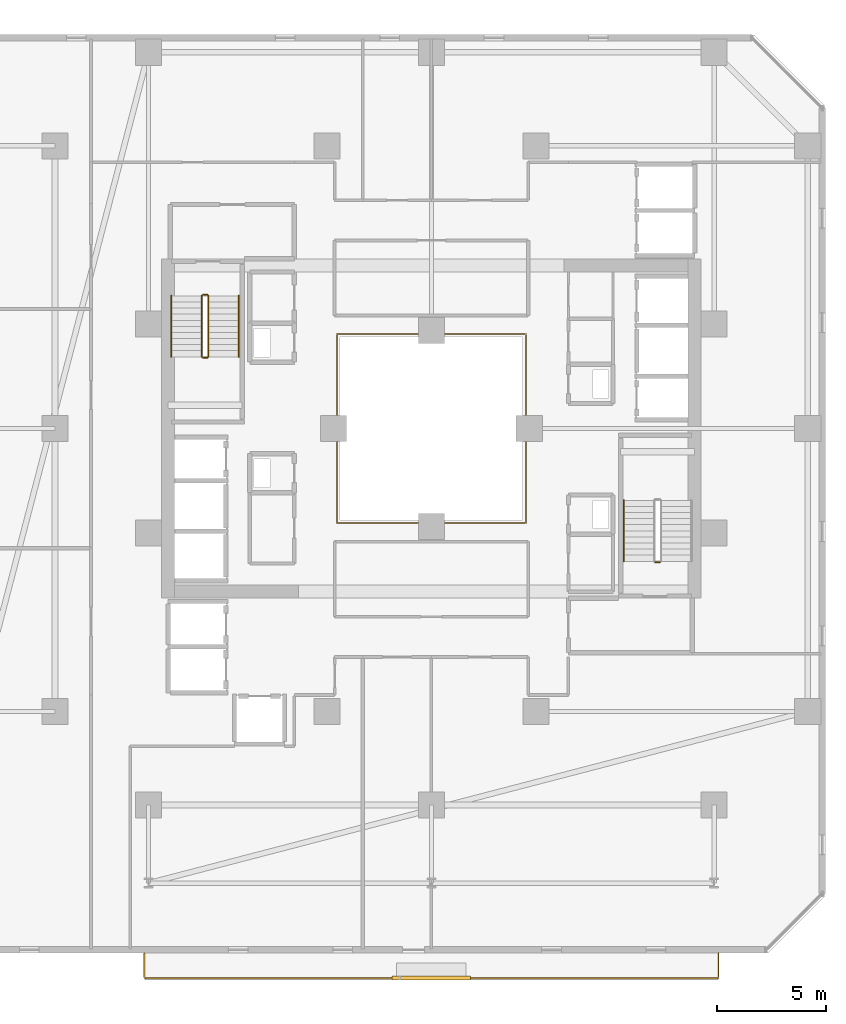
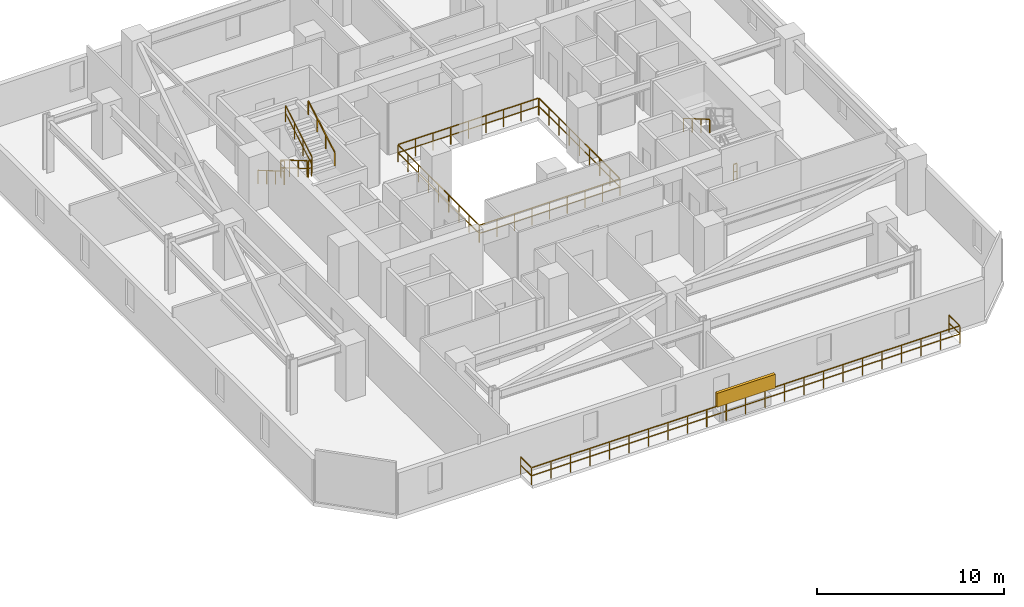
# One storey, part 32 of 33: 10 railings, 1 shading device.
"""IFC4 building model written with IfcOpenShell, lengths in metres."""

import ifcopenshell
import ifcopenshell.guid

model = None  # the IFC model being written
_history = None  # IfcOwnerHistory: only IFC2X3 demands one
_inside = {}  # id of a spatial element -> (the spatial element, [elements in it])
_under = {}  # id of a project, library or spatial element -> (it, [spatial elements below it])
_declared = {}  # id of a project -> (the project, [libraries it declares])
_typed = {}  # id of a type object -> (the type object, [elements of that type])
_made_of = {}  # id of a material, layer set ... -> (it, [elements and type objects made of it])


def new_model(schema):
    """Start an empty IFC model of exactly this schema.

    Asked for "IFC4X3", IfcOpenShell would pick the latest addendum, in which some entities
    have other attributes; the version numbers below select the first issue.
    IFC2X3 requires an IfcOwnerHistory on every rooted entity: one is made here for all.
    """
    global model, _history
    if schema == "IFC4X3":
        model = ifcopenshell.file(schema_version=(4, 3, 0, 0))
    else:
        model = ifcopenshell.file(schema=schema)
    _inside.clear()
    _under.clear()
    _declared.clear()
    _typed.clear()
    _made_of.clear()
    _history = None
    if model.schema == "IFC2X3":
        org = make("IfcOrganization", Name="unknown")
        user = make(
            "IfcPersonAndOrganization",
            ThePerson=make("IfcPerson", FamilyName="unknown"),
            TheOrganization=org,
        )
        app = make(
            "IfcApplication",
            ApplicationDeveloper=org,
            Version="unknown",
            ApplicationFullName="unknown",
            ApplicationIdentifier="unknown",
        )
        _history = make(
            "IfcOwnerHistory",
            OwningUser=user,
            OwningApplication=app,
            ChangeAction="ADDED",
            CreationDate=0,
        )
    return model


def make(cls, **values):
    """One entity of the class cls with the attributes given. An attribute that is None is left unset."""
    return model.create_entity(
        cls, **{name: value for name, value in values.items() if value is not None}
    )


def rooted(cls, **values):
    """An entity with a GlobalId (a new one), such as an element, a storey or a relation."""
    return make(cls, GlobalId=ifcopenshell.guid.new(), OwnerHistory=_history, **values)


def si_unit(unit_type, name, prefix=None):
    """IfcSIUnit, for example si_unit("LENGTHUNIT", "METRE", prefix="MILLI")."""
    return make("IfcSIUnit", UnitType=unit_type, Prefix=prefix, Name=name)


def assignment(units):
    """IfcUnitAssignment: the units of a project."""
    return None if units is None else make("IfcUnitAssignment", Units=units)


def point(xyz):
    """IfcCartesianPoint."""
    return None if xyz is None else make("IfcCartesianPoint", Coordinates=xyz)


def direction(xyz):
    """IfcDirection."""
    return None if xyz is None else make("IfcDirection", DirectionRatios=xyz)


def frame(location, z_axis=None, x_axis=None):
    """IfcAxis2Placement3D, a coordinate frame: its origin and axes. An axis left out is left unset."""
    return make(
        "IfcAxis2Placement3D",
        Location=point(location),
        Axis=direction(z_axis),
        RefDirection=direction(x_axis),
    )


def frame_2d(location, x_axis=None):
    """IfcAxis2Placement2D, a coordinate frame in the plane: its origin and x axis."""
    return make(
        "IfcAxis2Placement2D", Location=point(location), RefDirection=direction(x_axis)
    )


def origin():
    """The frame at (0, 0, 0) with its axes left unset."""
    return frame((0.0, 0.0, 0.0))


def origin_2d():
    """The frame at (0, 0) in the plane with its x axis left unset."""
    return frame_2d((0.0, 0.0))


def place(relative_to, where):
    """IfcLocalPlacement: puts the frame where relative to a parent placement (None: the world)."""
    return make(
        "IfcLocalPlacement", PlacementRelTo=relative_to, RelativePlacement=where
    )


def context(
    kind, dimensions, precision=None, world=None, true_north=None, identifier=None
):
    """IfcGeometricRepresentationContext, for example the 3D "Model" context."""
    return make(
        "IfcGeometricRepresentationContext",
        ContextIdentifier=identifier,
        ContextType=kind,
        CoordinateSpaceDimension=dimensions,
        Precision=precision,
        WorldCoordinateSystem=world,
        TrueNorth=true_north,
    )


def subcontext(parent, identifier, kind, view, scale=None):
    """IfcGeometricRepresentationSubContext, for example "Body" below "Model"."""
    return make(
        "IfcGeometricRepresentationSubContext",
        ContextIdentifier=identifier,
        ContextType=kind,
        ParentContext=parent,
        TargetScale=scale,
        TargetView=view,
    )


def project(units=None, contexts=None):
    """IfcProject with its units and contexts."""
    return rooted(
        "IfcProject",
        Name="project",
        RepresentationContexts=contexts,
        UnitsInContext=assignment(units),
    )


def spatial(cls, under=None, at=None, **own):
    """A site, building, storey or space (cls), placed at a placement, below another one or the project."""
    s = rooted(cls, ObjectPlacement=at, **own)
    if under is not None:
        _under.setdefault(under.id(), (under, []))[1].append(s)
    return s


def profile(cls, at=None, kind="AREA", **sizes):
    """A parametric profile (cls). Its sizes go by their IFC names, for example OverallWidth=200.0."""
    return make(cls, ProfileType=kind, Position=at, **sizes)


def rectangle(**sizes):
    """IfcRectangleProfileDef."""
    return profile("IfcRectangleProfileDef", **sizes)


def extrude(swept, where, along, depth):
    """IfcExtrudedAreaSolid: the profile swept, set in the frame where, extruded along a direction by depth."""
    return make(
        "IfcExtrudedAreaSolid",
        SweptArea=swept,
        Position=where,
        ExtrudedDirection=direction(along),
        Depth=depth,
    )


def shape(context_of_items, identifier, shape_type, items):
    """IfcShapeRepresentation: the items that make up one representation, for example the "Body"."""
    return make(
        "IfcShapeRepresentation",
        ContextOfItems=context_of_items,
        RepresentationIdentifier=identifier,
        RepresentationType=shape_type,
        Items=items,
    )


def material(Name=None, Category=None):
    """IfcMaterial."""
    return make("IfcMaterial", Name=Name, Category=Category)


def made_of(thing, what):
    """Note that an element or type object is made of a material, layer set ...; save() writes the relation."""
    if what is not None:
        _made_of.setdefault(what.id(), (what, []))[1].append(thing)
    return thing


def type_object(cls, material=None, **own):
    """A type object (cls), such as IfcWallType, which elements share."""
    return made_of(rooted(cls, **own), material)


def element(
    cls,
    number,
    at=None,
    inside=None,
    cuts=None,
    type_object=None,
    material=None,
    context=None,
    identifier="Body",
    shape_type=None,
    held_by="IfcProductDefinitionShape",
    body=None,
    shapes=None,
    **own,
):
    """One element of the class cls, such as IfcWall. Its Tag is "e" and its number.

    at: its placement. inside: the storey or other place that contains it. cuts: it is an
    opening in that element (IfcRelVoidsElement). A single representation is given by context,
    identifier, shape_type and body (its items); several are given by shapes. held_by: the class
    of the entity that holds the representations. save() writes the other relations.
    """
    e = rooted(cls, Tag="e%d" % number, ObjectPlacement=at, **own)
    if body is not None:
        shapes = [shape(context, identifier, shape_type, body)]
    if shapes is not None:
        e.Representation = make(held_by, Representations=shapes)
    if inside is not None:
        _inside.setdefault(inside.id(), (inside, []))[1].append(e)
    if cuts is not None:
        rooted(
            "IfcRelVoidsElement", RelatingBuildingElement=cuts, RelatedOpeningElement=e
        )
    if type_object is not None:
        _typed.setdefault(type_object.id(), (type_object, []))[1].append(e)
    return made_of(e, material)


def aggregate(whole, parts):
    """IfcRelAggregates: a whole, such as a stair, and the parts it consists of."""
    return rooted("IfcRelAggregates", RelatingObject=whole, RelatedObjects=parts)


def save(model, path):
    """Write the relations noted so far, then the file.

    IfcRelAggregates (storeys below a building ...), IfcRelContainedInSpatialStructure (elements
    in a storey), IfcRelDefinesByType, IfcRelAssociatesMaterial and IfcRelDeclares: one each for
    every whole, place, type object, material and project.
    """
    for whole, parts in _under.values():
        aggregate(whole, parts)
    for where, things in _inside.values():
        rooted(
            "IfcRelContainedInSpatialStructure",
            RelatedElements=things,
            RelatingStructure=where,
        )
    for kind, things in _typed.values():
        rooted("IfcRelDefinesByType", RelatedObjects=things, RelatingType=kind)
    for what, things in _made_of.values():
        rooted("IfcRelAssociatesMaterial", RelatedObjects=things, RelatingMaterial=what)
    for by, libraries in _declared.values():
        rooted("IfcRelDeclares", RelatingContext=by, RelatedDefinitions=libraries)
    model.write(path)


model = new_model("IFC4")

# Units and contexts
model_context = context("Model", 3, precision=1e-05, world=origin(), true_north=direction((0.0, 1.0)))
body_context = subcontext(model_context, "Body", "Model", "MODEL_VIEW")
ifc_project = project(units=[si_unit("LENGTHUNIT", "METRE"), si_unit("AREAUNIT", "SQUARE_METRE"), si_unit("VOLUMEUNIT", "CUBIC_METRE"), si_unit("PLANEANGLEUNIT", "RADIAN"), si_unit("MASSUNIT", "GRAM", prefix="KILO")], contexts=[model_context])

# Site, building, storey
site_placement = place(None, origin())
site = spatial("IfcSite", under=ifc_project, at=site_placement, CompositionType="ELEMENT")
building_placement = place(site_placement, origin())
building = spatial("IfcBuilding", under=site, at=building_placement, Name="Thornwick Lancets Civic Towers", CompositionType="ELEMENT")
storey_placement = place(building_placement, frame((0.0, 0.0, 108.89990234375)))
storey = spatial("IfcBuildingStorey", under=building, at=storey_placement, Name="L28", CompositionType="ELEMENT", Elevation=108.89990234375)

# Railings
ifc_material_1 = material(Name="Laminated glass and bronze steel S355", Category="steel")
railing_type_1 = type_object("IfcRailingType", Name="RAIL_ATRIUM_GUARD", PredefinedType="BALUSTRADE", material=ifc_material_1)
railing_1_placement = place(storey_placement, frame((84.159912109375, 22.659912109375, 0.0)))
element("IfcRailing", 1, at=railing_1_placement, inside=storey, type_object=railing_type_1, Name="L28 Tower B Central Atrium Guard Balustrade", PredefinedType="BALUSTRADE", context=body_context, shape_type="SweptSolid", body=[
    extrude(rectangle(XDim=0.048095703125, YDim=0.048095703125, at=origin_2d()), frame((0.0, 0.0, 1.1259765625), z_axis=(1.0, 0.0, 0.0), x_axis=(0.0, 1.0, 0.0)), (0.0, 0.0, 1.0), 8.64892578125),
    extrude(rectangle(XDim=0.0419921875, YDim=0.0419921875, at=origin_2d()), frame((0.03759765625, 0.0, 0.597900390625), z_axis=(1.0, 0.0, 0.0), x_axis=(0.0, 1.0, 0.0)), (0.0, 0.0, 1.0), 1.010009765625),
    extrude(rectangle(XDim=0.0419921875, YDim=0.0419921875, at=origin_2d()), frame((1.12255859375, 0.0, 0.597900390625), z_axis=(1.0, 0.0, 0.0), x_axis=(0.0, 1.0, 0.0)), (0.0, 0.0, 1.0), 1.010009765625),
    extrude(rectangle(XDim=0.0419921875, YDim=0.0419921875, at=origin_2d()), frame((2.20751953125, 0.0, 0.597900390625), z_axis=(1.0, 0.0, 0.0), x_axis=(0.0, 1.0, 0.0)), (0.0, 0.0, 1.0), 1.010009765625),
    extrude(rectangle(XDim=0.0419921875, YDim=0.0419921875, at=origin_2d()), frame((3.29248046875, 0.0, 0.597900390625), z_axis=(1.0, 0.0, 0.0), x_axis=(0.0, 1.0, 0.0)), (0.0, 0.0, 1.0), 1.010009765625),
    extrude(rectangle(XDim=0.0419921875, YDim=0.0419921875, at=origin_2d()), frame((4.377685546875, 0.0, 0.597900390625), z_axis=(1.0, 0.0, 0.0), x_axis=(0.0, 1.0, 0.0)), (0.0, 0.0, 1.0), 1.010009765625),
    extrude(rectangle(XDim=0.0419921875, YDim=0.0419921875, at=origin_2d()), frame((5.462646484375, 0.0, 0.597900390625), z_axis=(1.0, 0.0, 0.0), x_axis=(0.0, 1.0, 0.0)), (0.0, 0.0, 1.0), 1.010009765625),
    extrude(rectangle(XDim=0.0419921875, YDim=0.0419921875, at=origin_2d()), frame((6.547607421875, 0.0, 0.597900390625), z_axis=(1.0, 0.0, 0.0), x_axis=(0.0, 1.0, 0.0)), (0.0, 0.0, 1.0), 1.010009765625),
    extrude(rectangle(XDim=0.0419921875, YDim=0.0419921875, at=origin_2d()), frame((7.632568359375, 0.0, 0.597900390625), z_axis=(1.0, 0.0, 0.0), x_axis=(0.0, 1.0, 0.0)), (0.0, 0.0, 1.0), 1.010009765625),
    extrude(rectangle(XDim=0.048095703125, YDim=0.048095703125, at=origin_2d()), frame((8.68017578125, 0.03125, 1.1259765625), z_axis=(0.0, 1.0, 0.0), x_axis=(-1.0, 0.0, 0.0)), (0.0, 0.0, 1.0), 8.61767578125),
    extrude(rectangle(XDim=0.0419921875, YDim=0.0419921875, at=origin_2d()), frame((8.68017578125, 0.03759765625, 0.597900390625), z_axis=(0.0, 1.0, 0.0), x_axis=(-1.0, 0.0, 0.0)), (0.0, 0.0, 1.0), 1.010009765625),
    extrude(rectangle(XDim=0.0419921875, YDim=0.0419921875, at=origin_2d()), frame((8.68017578125, 1.12255859375, 0.597900390625), z_axis=(0.0, 1.0, 0.0), x_axis=(-1.0, 0.0, 0.0)), (0.0, 0.0, 1.0), 1.010009765625),
    extrude(rectangle(XDim=0.0419921875, YDim=0.0419921875, at=origin_2d()), frame((8.68017578125, 2.20751953125, 0.597900390625), z_axis=(0.0, 1.0, 0.0), x_axis=(-1.0, 0.0, 0.0)), (0.0, 0.0, 1.0), 1.010009765625),
    extrude(rectangle(XDim=0.0419921875, YDim=0.0419921875, at=origin_2d()), frame((8.68017578125, 3.29248046875, 0.597900390625), z_axis=(0.0, 1.0, 0.0), x_axis=(-1.0, 0.0, 0.0)), (0.0, 0.0, 1.0), 1.010009765625),
    extrude(rectangle(XDim=0.0419921875, YDim=0.0419921875, at=origin_2d()), frame((8.68017578125, 4.377685546875, 0.597900390625), z_axis=(0.0, 1.0, 0.0), x_axis=(-1.0, 0.0, 0.0)), (0.0, 0.0, 1.0), 1.010009765625),
    extrude(rectangle(XDim=0.0419921875, YDim=0.0419921875, at=origin_2d()), frame((8.68017578125, 5.462646484375, 0.597900390625), z_axis=(0.0, 1.0, 0.0), x_axis=(-1.0, 0.0, 0.0)), (0.0, 0.0, 1.0), 1.010009765625),
    extrude(rectangle(XDim=0.0419921875, YDim=0.0419921875, at=origin_2d()), frame((8.68017578125, 6.547607421875, 0.597900390625), z_axis=(0.0, 1.0, 0.0), x_axis=(-1.0, 0.0, 0.0)), (0.0, 0.0, 1.0), 1.010009765625),
    extrude(rectangle(XDim=0.0419921875, YDim=0.0419921875, at=origin_2d()), frame((8.68017578125, 7.632568359375, 0.597900390625), z_axis=(0.0, 1.0, 0.0), x_axis=(-1.0, 0.0, 0.0)), (0.0, 0.0, 1.0), 1.010009765625),
    extrude(rectangle(XDim=0.048095703125, YDim=0.048095703125, at=origin_2d()), frame((8.64892578125, 8.68017578125, 1.1259765625), z_axis=(-1.0, 0.0, 0.0), x_axis=(0.0, -1.0, 0.0)), (0.0, 0.0, 1.0), 8.61767578125),
    extrude(rectangle(XDim=0.0419921875, YDim=0.0419921875, at=origin_2d()), frame((8.642578125, 8.68017578125, 0.597900390625), z_axis=(-1.0, 0.0, 0.0), x_axis=(0.0, -1.0, 0.0)), (0.0, 0.0, 1.0), 1.010009765625),
    extrude(rectangle(XDim=0.0419921875, YDim=0.0419921875, at=origin_2d()), frame((7.5576171875, 8.68017578125, 0.597900390625), z_axis=(-1.0, 0.0, 0.0), x_axis=(0.0, -1.0, 0.0)), (0.0, 0.0, 1.0), 1.010009765625),
    extrude(rectangle(XDim=0.0419921875, YDim=0.0419921875, at=origin_2d()), frame((6.47265625, 8.68017578125, 0.597900390625), z_axis=(-1.0, 0.0, 0.0), x_axis=(0.0, -1.0, 0.0)), (0.0, 0.0, 1.0), 1.010009765625),
    extrude(rectangle(XDim=0.0419921875, YDim=0.0419921875, at=origin_2d()), frame((5.3876953125, 8.68017578125, 0.597900390625), z_axis=(-1.0, 0.0, 0.0), x_axis=(0.0, -1.0, 0.0)), (0.0, 0.0, 1.0), 1.010009765625),
    extrude(rectangle(XDim=0.0419921875, YDim=0.0419921875, at=origin_2d()), frame((4.302490234375, 8.68017578125, 0.597900390625), z_axis=(-1.0, 0.0, 0.0), x_axis=(0.0, -1.0, 0.0)), (0.0, 0.0, 1.0), 1.010009765625),
    extrude(rectangle(XDim=0.0419921875, YDim=0.0419921875, at=origin_2d()), frame((3.217529296875, 8.68017578125, 0.597900390625), z_axis=(-1.0, 0.0, 0.0), x_axis=(0.0, -1.0, 0.0)), (0.0, 0.0, 1.0), 1.010009765625),
    extrude(rectangle(XDim=0.0419921875, YDim=0.0419921875, at=origin_2d()), frame((2.132568359375, 8.68017578125, 0.597900390625), z_axis=(-1.0, 0.0, 0.0), x_axis=(0.0, -1.0, 0.0)), (0.0, 0.0, 1.0), 1.010009765625),
    extrude(rectangle(XDim=0.0419921875, YDim=0.0419921875, at=origin_2d()), frame((1.047607421875, 8.68017578125, 0.597900390625), z_axis=(-1.0, 0.0, 0.0), x_axis=(0.0, -1.0, 0.0)), (0.0, 0.0, 1.0), 1.010009765625),
    extrude(rectangle(XDim=0.048095703125, YDim=0.048095703125, at=origin_2d()), frame((0.0, 8.64892578125, 1.1259765625), z_axis=(0.0, -1.0, 0.0), x_axis=(1.0, 0.0, 0.0)), (0.0, 0.0, 1.0), 8.64892578125),
    extrude(rectangle(XDim=0.0419921875, YDim=0.0419921875, at=origin_2d()), frame((0.0, 8.642578125, 0.597900390625), z_axis=(0.0, -1.0, 0.0), x_axis=(1.0, 0.0, 0.0)), (0.0, 0.0, 1.0), 1.010009765625),
    extrude(rectangle(XDim=0.0419921875, YDim=0.0419921875, at=origin_2d()), frame((0.0, 7.5576171875, 0.597900390625), z_axis=(0.0, -1.0, 0.0), x_axis=(1.0, 0.0, 0.0)), (0.0, 0.0, 1.0), 1.010009765625),
    extrude(rectangle(XDim=0.0419921875, YDim=0.0419921875, at=origin_2d()), frame((0.0, 6.47265625, 0.597900390625), z_axis=(0.0, -1.0, 0.0), x_axis=(1.0, 0.0, 0.0)), (0.0, 0.0, 1.0), 1.010009765625),
    extrude(rectangle(XDim=0.0419921875, YDim=0.0419921875, at=origin_2d()), frame((0.0, 5.3876953125, 0.597900390625), z_axis=(0.0, -1.0, 0.0), x_axis=(1.0, 0.0, 0.0)), (0.0, 0.0, 1.0), 1.010009765625),
    extrude(rectangle(XDim=0.0419921875, YDim=0.0419921875, at=origin_2d()), frame((0.0, 4.302490234375, 0.597900390625), z_axis=(0.0, -1.0, 0.0), x_axis=(1.0, 0.0, 0.0)), (0.0, 0.0, 1.0), 1.010009765625),
    extrude(rectangle(XDim=0.0419921875, YDim=0.0419921875, at=origin_2d()), frame((0.0, 3.217529296875, 0.597900390625), z_axis=(0.0, -1.0, 0.0), x_axis=(1.0, 0.0, 0.0)), (0.0, 0.0, 1.0), 1.010009765625),
    extrude(rectangle(XDim=0.0419921875, YDim=0.0419921875, at=origin_2d()), frame((0.0, 2.132568359375, 0.597900390625), z_axis=(0.0, -1.0, 0.0), x_axis=(1.0, 0.0, 0.0)), (0.0, 0.0, 1.0), 1.010009765625),
    extrude(rectangle(XDim=0.0419921875, YDim=0.0419921875, at=origin_2d()), frame((0.0, 1.047607421875, 0.597900390625), z_axis=(0.0, -1.0, 0.0), x_axis=(1.0, 0.0, 0.0)), (0.0, 0.0, 1.0), 1.010009765625),
    extrude(rectangle(XDim=0.0419921875, YDim=0.0419921875, at=origin_2d()), origin(), (0.0, 0.0, 1.0), 1.095703125),
    extrude(rectangle(XDim=0.0419921875, YDim=0.0419921875, at=origin_2d()), frame((1.0849609375, 0.0, 0.0)), (0.0, 0.0, 1.0), 1.095703125),
    extrude(rectangle(XDim=0.0419921875, YDim=0.0419921875, at=origin_2d()), frame((2.169921875, 0.0, 0.0)), (0.0, 0.0, 1.0), 1.095703125),
    extrude(rectangle(XDim=0.0419921875, YDim=0.0419921875, at=origin_2d()), frame((3.255126953125, 0.0, 0.0)), (0.0, 0.0, 1.0), 1.095703125),
    extrude(rectangle(XDim=0.0419921875, YDim=0.0419921875, at=origin_2d()), frame((4.340087890625, 0.0, 0.0)), (0.0, 0.0, 1.0), 1.095703125),
    extrude(rectangle(XDim=0.0419921875, YDim=0.0419921875, at=origin_2d()), frame((5.425048828125, 0.0, 0.0)), (0.0, 0.0, 1.0), 1.095703125),
    extrude(rectangle(XDim=0.0419921875, YDim=0.0419921875, at=origin_2d()), frame((6.51025390625, 0.0, 0.0)), (0.0, 0.0, 1.0), 1.095703125),
    extrude(rectangle(XDim=0.0419921875, YDim=0.0419921875, at=origin_2d()), frame((7.59521484375, 0.0, 0.0)), (0.0, 0.0, 1.0), 1.095703125),
    extrude(rectangle(XDim=0.0419921875, YDim=0.0419921875, at=origin_2d()), frame((8.68017578125, 0.0, 0.0)), (0.0, 0.0, 1.0), 1.095703125),
    extrude(rectangle(XDim=0.0419921875, YDim=0.0419921875, at=origin_2d()), frame((8.68017578125, 1.0849609375, 0.0)), (0.0, 0.0, 1.0), 1.095703125),
    extrude(rectangle(XDim=0.0419921875, YDim=0.0419921875, at=origin_2d()), frame((8.68017578125, 2.169921875, 0.0)), (0.0, 0.0, 1.0), 1.095703125),
    extrude(rectangle(XDim=0.0419921875, YDim=0.0419921875, at=origin_2d()), frame((8.68017578125, 3.255126953125, 0.0)), (0.0, 0.0, 1.0), 1.095703125),
    extrude(rectangle(XDim=0.0419921875, YDim=0.0419921875, at=origin_2d()), frame((8.68017578125, 4.340087890625, 0.0)), (0.0, 0.0, 1.0), 1.095703125),
    extrude(rectangle(XDim=0.0419921875, YDim=0.0419921875, at=origin_2d()), frame((8.68017578125, 5.425048828125, 0.0)), (0.0, 0.0, 1.0), 1.095703125),
    extrude(rectangle(XDim=0.0419921875, YDim=0.0419921875, at=origin_2d()), frame((8.68017578125, 6.51025390625, 0.0)), (0.0, 0.0, 1.0), 1.095703125),
    extrude(rectangle(XDim=0.0419921875, YDim=0.0419921875, at=origin_2d()), frame((8.68017578125, 7.59521484375, 0.0)), (0.0, 0.0, 1.0), 1.095703125),
    extrude(rectangle(XDim=0.0419921875, YDim=0.0419921875, at=origin_2d()), frame((8.68017578125, 8.68017578125, 0.0)), (0.0, 0.0, 1.0), 1.095703125),
    extrude(rectangle(XDim=0.0419921875, YDim=0.0419921875, at=origin_2d()), frame((7.59521484375, 8.68017578125, 0.0)), (0.0, 0.0, 1.0), 1.095703125),
    extrude(rectangle(XDim=0.0419921875, YDim=0.0419921875, at=origin_2d()), frame((6.51025390625, 8.68017578125, 0.0)), (0.0, 0.0, 1.0), 1.095703125),
    extrude(rectangle(XDim=0.0419921875, YDim=0.0419921875, at=origin_2d()), frame((5.425048828125, 8.68017578125, 0.0)), (0.0, 0.0, 1.0), 1.095703125),
    extrude(rectangle(XDim=0.0419921875, YDim=0.0419921875, at=origin_2d()), frame((4.340087890625, 8.68017578125, 0.0)), (0.0, 0.0, 1.0), 1.095703125),
    extrude(rectangle(XDim=0.0419921875, YDim=0.0419921875, at=origin_2d()), frame((3.255126953125, 8.68017578125, 0.0)), (0.0, 0.0, 1.0), 1.095703125),
    extrude(rectangle(XDim=0.0419921875, YDim=0.0419921875, at=origin_2d()), frame((2.169921875, 8.68017578125, 0.0)), (0.0, 0.0, 1.0), 1.095703125),
    extrude(rectangle(XDim=0.0419921875, YDim=0.0419921875, at=origin_2d()), frame((1.0849609375, 8.68017578125, 0.0)), (0.0, 0.0, 1.0), 1.095703125),
    extrude(rectangle(XDim=0.0419921875, YDim=0.0419921875, at=origin_2d()), frame((0.0, 8.68017578125, 0.0)), (0.0, 0.0, 1.0), 1.095703125),
    extrude(rectangle(XDim=0.0419921875, YDim=0.0419921875, at=origin_2d()), frame((0.0, 7.59521484375, 0.0)), (0.0, 0.0, 1.0), 1.095703125),
    extrude(rectangle(XDim=0.0419921875, YDim=0.0419921875, at=origin_2d()), frame((0.0, 6.51025390625, 0.0)), (0.0, 0.0, 1.0), 1.095703125),
    extrude(rectangle(XDim=0.0419921875, YDim=0.0419921875, at=origin_2d()), frame((0.0, 5.425048828125, 0.0)), (0.0, 0.0, 1.0), 1.095703125),
    extrude(rectangle(XDim=0.0419921875, YDim=0.0419921875, at=origin_2d()), frame((0.0, 4.340087890625, 0.0)), (0.0, 0.0, 1.0), 1.095703125),
    extrude(rectangle(XDim=0.0419921875, YDim=0.0419921875, at=origin_2d()), frame((0.0, 3.255126953125, 0.0)), (0.0, 0.0, 1.0), 1.095703125),
    extrude(rectangle(XDim=0.0419921875, YDim=0.0419921875, at=origin_2d()), frame((0.0, 2.169921875, 0.0)), (0.0, 0.0, 1.0), 1.095703125),
    extrude(rectangle(XDim=0.0419921875, YDim=0.0419921875, at=origin_2d()), frame((0.0, 1.0849609375, 0.0)), (0.0, 0.0, 1.0), 1.095703125),
])
ifc_material_2 = material(Name="Brushed stainless steel S355", Category="steel")
railing_type_2 = type_object("IfcRailingType", Name="RAIL_HANDRAIL", PredefinedType="HANDRAIL", material=ifc_material_2)
railing_2_placement = place(storey_placement, frame((97.35009765625, 23.699951171875, 1.963623046875)))
element("IfcRailing", 2, at=railing_2_placement, inside=storey, type_object=railing_type_2, Name="L28 ST-B1 stair handrail 2", PredefinedType="HANDRAIL", context=body_context, shape_type="SweptSolid", body=[
    extrude(rectangle(XDim=0.048095703125, YDim=0.048095703125, at=origin_2d()), frame((0.0, 0.0, 0.8857421875), z_axis=(0.0, -0.863360870873, 0.504586966384), x_axis=(1.0, 0.0, 0.0)), (0.0, 0.0, 1.0), 3.2431640625),
    extrude(rectangle(XDim=0.0419921875, YDim=0.0419921875, at=origin_2d()), origin(), (0.0, 0.0, 1.0), 0.855712890625),
    extrude(rectangle(XDim=0.0419921875, YDim=0.0419921875, at=origin_2d()), frame((0.0, -0.933349609375, 0.54541015625)), (0.0, 0.0, 1.0), 0.855712890625),
    extrude(rectangle(XDim=0.0419921875, YDim=0.0419921875, at=origin_2d()), frame((0.0, -1.86669921875, 1.091064453125)), (0.0, 0.0, 1.0), 0.855712890625),
    extrude(rectangle(XDim=0.0419921875, YDim=0.0419921875, at=origin_2d()), frame((0.0, -2.800048828125, 1.636474609375)), (0.0, 0.0, 1.0), 0.855712890625),
])
railing_3_placement = place(storey_placement, frame((76.550048828125, 33.10009765625, 0.163818359375)))
element("IfcRailing", 3, at=railing_3_placement, inside=storey, type_object=railing_type_2, Name="L28 ST-B2 stair handrail 1", PredefinedType="HANDRAIL", context=body_context, shape_type="SweptSolid", body=[
    extrude(rectangle(XDim=0.048095703125, YDim=0.048095703125, at=origin_2d()), frame((0.0, 0.0, 0.8857421875), z_axis=(0.0, -0.863393664356, 0.504530851732), x_axis=(1.0, 0.0, 0.0)), (0.0, 0.0, 1.0), 3.2431640625),
    extrude(rectangle(XDim=0.0419921875, YDim=0.0419921875, at=origin_2d()), origin(), (0.0, 0.0, 1.0), 0.855712890625),
    extrude(rectangle(XDim=0.0419921875, YDim=0.0419921875, at=origin_2d()), frame((0.0, -0.933349609375, 0.54541015625)), (0.0, 0.0, 1.0), 0.855712890625),
    extrude(rectangle(XDim=0.0419921875, YDim=0.0419921875, at=origin_2d()), frame((0.0, -1.86669921875, 1.0908203125)), (0.0, 0.0, 1.0), 0.855712890625),
    extrude(rectangle(XDim=0.0419921875, YDim=0.0419921875, at=origin_2d()), frame((0.0, -2.800048828125, 1.63623046875)), (0.0, 0.0, 1.0), 0.855712890625),
])
railing_4_placement = place(storey_placement, frame((79.64990234375, 30.300048828125, 1.963623046875)))
element("IfcRailing", 4, at=railing_4_placement, inside=storey, type_object=railing_type_2, Name="L28 ST-B2 stair handrail 2", PredefinedType="HANDRAIL", context=body_context, shape_type="SweptSolid", body=[
    extrude(rectangle(XDim=0.048095703125, YDim=0.048095703125, at=origin_2d()), frame((0.0, 0.0, 0.8857421875), z_axis=(0.0, 0.863360870873, 0.504586966384), x_axis=(-1.0, 0.0, 0.0)), (0.0, 0.0, 1.0), 3.2431640625),
    extrude(rectangle(XDim=0.0419921875, YDim=0.0419921875, at=origin_2d()), origin(), (0.0, 0.0, 1.0), 0.855712890625),
    extrude(rectangle(XDim=0.0419921875, YDim=0.0419921875, at=origin_2d()), frame((0.0, 0.933349609375, 0.54541015625)), (0.0, 0.0, 1.0), 0.855712890625),
    extrude(rectangle(XDim=0.0419921875, YDim=0.0419921875, at=origin_2d()), frame((0.0, 1.86669921875, 1.091064453125)), (0.0, 0.0, 1.0), 0.855712890625),
    extrude(rectangle(XDim=0.0419921875, YDim=0.0419921875, at=origin_2d()), frame((0.0, 2.800048828125, 1.636474609375)), (0.0, 0.0, 1.0), 0.855712890625),
])
ifc_material_3 = material(Name="Steel S355JR", Category="steel")
railing_type_3 = type_object("IfcRailingType", Name="RAIL_STAIR_GUARD", PredefinedType="GUARDRAIL", material=ifc_material_3)
railing_5_placement = place(storey_placement, frame((99.0, 20.85009765625, 0.0)))
element("IfcRailing", 5, at=railing_5_placement, inside=storey, type_object=railing_type_3, Name="L28 ST-B1 stair guard 4", PredefinedType="GUARDRAIL", context=body_context, shape_type="SweptSolid", body=[
    extrude(rectangle(XDim=0.048095703125, YDim=0.048095703125, at=origin_2d()), frame((0.0, 0.0, 1.076171875), z_axis=(-1.0, 0.0, 0.0), x_axis=(0.0, -1.0, 0.0)), (0.0, 0.0, 1.0), 0.199951171875),
    extrude(rectangle(XDim=0.0419921875, YDim=0.0419921875, at=origin_2d()), frame((-0.03759765625, 0.0, 0.572021484375), z_axis=(-1.0, 0.0, 0.0), x_axis=(0.0, -1.0, 0.0)), (0.0, 0.0, 1.0), 0.125),
    extrude(rectangle(XDim=0.0419921875, YDim=0.0419921875, at=origin_2d()), origin(), (0.0, 0.0, 1.0), 1.0458984375),
    extrude(rectangle(XDim=0.0419921875, YDim=0.0419921875, at=origin_2d()), frame((-0.199951171875, 0.0, 0.0)), (0.0, 0.0, 1.0), 1.0458984375),
])
railing_6_placement = place(storey_placement, frame((77.949951171875, 33.10009765625, 0.163818359375)))
element("IfcRailing", 6, at=railing_6_placement, inside=storey, type_object=railing_type_3, Name="L28 ST-B2 stair guard 1", PredefinedType="GUARDRAIL", context=body_context, shape_type="SweptSolid", body=[
    extrude(rectangle(XDim=0.048095703125, YDim=0.048095703125, at=origin_2d()), frame((0.0, 0.0, 1.076171875), z_axis=(0.0, -0.863393664356, 0.504530851732), x_axis=(1.0, 0.0, 0.0)), (0.0, 0.0, 1.0), 3.2431640625),
    extrude(rectangle(XDim=0.0419921875, YDim=0.0419921875, at=origin_2d()), frame((0.0, -0.032470703125, 0.591064453125), z_axis=(0.0, -0.863393664356, 0.504530851732), x_axis=(1.0, 0.0, 0.0)), (0.0, 0.0, 1.0), 1.006103515625),
    extrude(rectangle(XDim=0.0419921875, YDim=0.0419921875, at=origin_2d()), frame((0.0, -0.9658203125, 1.136474609375), z_axis=(0.0, -0.863393664356, 0.504530851732), x_axis=(1.0, 0.0, 0.0)), (0.0, 0.0, 1.0), 1.006103515625),
    extrude(rectangle(XDim=0.0419921875, YDim=0.0419921875, at=origin_2d()), frame((0.0, -1.899169921875, 1.681884765625), z_axis=(0.0, -0.863393664356, 0.504530851732), x_axis=(1.0, 0.0, 0.0)), (0.0, 0.0, 1.0), 1.006103515625),
    extrude(rectangle(XDim=0.0419921875, YDim=0.0419921875, at=origin_2d()), origin(), (0.0, 0.0, 1.0), 1.0458984375),
    extrude(rectangle(XDim=0.0419921875, YDim=0.0419921875, at=origin_2d()), frame((0.0, -0.933349609375, 0.54541015625)), (0.0, 0.0, 1.0), 1.0458984375),
    extrude(rectangle(XDim=0.0419921875, YDim=0.0419921875, at=origin_2d()), frame((0.0, -1.86669921875, 1.0908203125)), (0.0, 0.0, 1.0), 1.0458984375),
    extrude(rectangle(XDim=0.0419921875, YDim=0.0419921875, at=origin_2d()), frame((0.0, -2.800048828125, 1.63623046875)), (0.0, 0.0, 1.0), 1.0458984375),
])
railing_7_placement = place(storey_placement, frame((78.0, 30.25, 1.800048828125)))
element("IfcRailing", 7, at=railing_7_placement, inside=storey, type_object=railing_type_3, Name="L28 ST-B2 stair guard 2", PredefinedType="GUARDRAIL", context=body_context, shape_type="SweptSolid", body=[
    extrude(rectangle(XDim=0.048095703125, YDim=0.048095703125, at=origin_2d()), frame((0.0, 0.0, 1.076171875), z_axis=(1.0, 0.0, 0.0), x_axis=(0.0, 1.0, 0.0)), (0.0, 0.0, 1.0), 0.199951171875),
    extrude(rectangle(XDim=0.0419921875, YDim=0.0419921875, at=origin_2d()), frame((0.03759765625, 0.0, 0.572021484375), z_axis=(1.0, 0.0, 0.0), x_axis=(0.0, 1.0, 0.0)), (0.0, 0.0, 1.0), 0.125),
    extrude(rectangle(XDim=0.0419921875, YDim=0.0419921875, at=origin_2d()), origin(), (0.0, 0.0, 1.0), 1.0458984375),
    extrude(rectangle(XDim=0.0419921875, YDim=0.0419921875, at=origin_2d()), frame((0.199951171875, 0.0, 0.0)), (0.0, 0.0, 1.0), 1.0458984375),
])
railing_8_placement = place(storey_placement, frame((78.25, 30.300048828125, 1.963623046875)))
element("IfcRailing", 8, at=railing_8_placement, inside=storey, type_object=railing_type_3, Name="L28 ST-B2 stair guard 3", PredefinedType="GUARDRAIL", context=body_context, shape_type="SweptSolid", body=[
    extrude(rectangle(XDim=0.048095703125, YDim=0.048095703125, at=origin_2d()), frame((0.0, 0.0, 1.076171875), z_axis=(0.0, 0.863360870873, 0.504586966384), x_axis=(-1.0, 0.0, 0.0)), (0.0, 0.0, 1.0), 3.2431640625),
    extrude(rectangle(XDim=0.0419921875, YDim=0.0419921875, at=origin_2d()), frame((0.0, 0.032470703125, 0.591064453125), z_axis=(0.0, 0.863360870873, 0.504586966384), x_axis=(-1.0, 0.0, 0.0)), (0.0, 0.0, 1.0), 1.006103515625),
    extrude(rectangle(XDim=0.0419921875, YDim=0.0419921875, at=origin_2d()), frame((0.0, 0.9658203125, 1.136474609375), z_axis=(0.0, 0.863360870873, 0.504586966384), x_axis=(-1.0, 0.0, 0.0)), (0.0, 0.0, 1.0), 1.006103515625),
    extrude(rectangle(XDim=0.0419921875, YDim=0.0419921875, at=origin_2d()), frame((0.0, 1.899169921875, 1.681884765625), z_axis=(0.0, 0.863360870873, 0.504586966384), x_axis=(-1.0, 0.0, 0.0)), (0.0, 0.0, 1.0), 1.006103515625),
    extrude(rectangle(XDim=0.0419921875, YDim=0.0419921875, at=origin_2d()), origin(), (0.0, 0.0, 1.0), 1.0458984375),
    extrude(rectangle(XDim=0.0419921875, YDim=0.0419921875, at=origin_2d()), frame((0.0, 0.933349609375, 0.54541015625)), (0.0, 0.0, 1.0), 1.0458984375),
    extrude(rectangle(XDim=0.0419921875, YDim=0.0419921875, at=origin_2d()), frame((0.0, 1.86669921875, 1.091064453125)), (0.0, 0.0, 1.0), 1.0458984375),
    extrude(rectangle(XDim=0.0419921875, YDim=0.0419921875, at=origin_2d()), frame((0.0, 2.800048828125, 1.636474609375)), (0.0, 0.0, 1.0), 1.0458984375),
])
railing_9_placement = place(storey_placement, frame((78.0, 33.14990234375, 0.0)))
element("IfcRailing", 9, at=railing_9_placement, inside=storey, type_object=railing_type_3, Name="L28 ST-B2 stair guard 4", PredefinedType="GUARDRAIL", context=body_context, shape_type="SweptSolid", body=[
    extrude(rectangle(XDim=0.048095703125, YDim=0.048095703125, at=origin_2d()), frame((0.0, 0.0, 1.076171875), z_axis=(1.0, 0.0, 0.0), x_axis=(0.0, 1.0, 0.0)), (0.0, 0.0, 1.0), 0.199951171875),
    extrude(rectangle(XDim=0.0419921875, YDim=0.0419921875, at=origin_2d()), frame((0.03759765625, 0.0, 0.572021484375), z_axis=(1.0, 0.0, 0.0), x_axis=(0.0, 1.0, 0.0)), (0.0, 0.0, 1.0), 0.125),
    extrude(rectangle(XDim=0.0419921875, YDim=0.0419921875, at=origin_2d()), origin(), (0.0, 0.0, 1.0), 1.0458984375),
    extrude(rectangle(XDim=0.0419921875, YDim=0.0419921875, at=origin_2d()), frame((0.199951171875, 0.0, 0.0)), (0.0, 0.0, 1.0), 1.0458984375),
])
ifc_material_4 = material(Name="Terracotta-capped laminated glass balustrade S355", Category="masonry")
railing_type_4 = type_object("IfcRailingType", Name="RAIL_TERR_GUARD", PredefinedType="GUARDRAIL", material=ifc_material_4)
railing_10_placement = place(storey_placement, frame((75.300048828125, 2.89990234375, 0.0)))
element("IfcRailing", 10, at=railing_10_placement, inside=storey, type_object=railing_type_4, Name="L28 Tower B Balcony Guard S", PredefinedType="GUARDRAIL", context=body_context, shape_type="SweptSolid", body=[
    extrude(rectangle(XDim=0.048095703125, YDim=0.048095703125, at=origin_2d()), frame((0.0, 0.0, 1.1259765625), z_axis=(0.0, -1.0, 0.0), x_axis=(1.0, 0.0, 0.0)), (0.0, 0.0, 1.0), 1.138671875),
    extrude(rectangle(XDim=0.0419921875, YDim=0.0419921875, at=origin_2d()), frame((0.0, -0.03759765625, 0.597900390625), z_axis=(0.0, -1.0, 0.0), x_axis=(1.0, 0.0, 0.0)), (0.0, 0.0, 1.0), 1.094970703125),
    extrude(rectangle(XDim=0.048095703125, YDim=0.048095703125, at=origin_2d()), frame((0.03125, -1.169921875, 1.1259765625), z_axis=(1.0, 0.0, 0.0), x_axis=(0.0, 1.0, 0.0)), (0.0, 0.0, 1.0), 26.33740234375),
    extrude(rectangle(XDim=0.0419921875, YDim=0.0419921875, at=origin_2d()), frame((0.03759765625, -1.169921875, 0.597900390625), z_axis=(1.0, 0.0, 0.0), x_axis=(0.0, 1.0, 0.0)), (0.0, 0.0, 1.0), 1.125),
    extrude(rectangle(XDim=0.0419921875, YDim=0.0419921875, at=origin_2d()), frame((1.237548828125, -1.169921875, 0.597900390625), z_axis=(1.0, 0.0, 0.0), x_axis=(0.0, 1.0, 0.0)), (0.0, 0.0, 1.0), 1.125),
    extrude(rectangle(XDim=0.0419921875, YDim=0.0419921875, at=origin_2d()), frame((2.4375, -1.169921875, 0.597900390625), z_axis=(1.0, 0.0, 0.0), x_axis=(0.0, 1.0, 0.0)), (0.0, 0.0, 1.0), 1.125),
    extrude(rectangle(XDim=0.0419921875, YDim=0.0419921875, at=origin_2d()), frame((3.637451171875, -1.169921875, 0.597900390625), z_axis=(1.0, 0.0, 0.0), x_axis=(0.0, 1.0, 0.0)), (0.0, 0.0, 1.0), 1.125),
    extrude(rectangle(XDim=0.0419921875, YDim=0.0419921875, at=origin_2d()), frame((4.83740234375, -1.169921875, 0.597900390625), z_axis=(1.0, 0.0, 0.0), x_axis=(0.0, 1.0, 0.0)), (0.0, 0.0, 1.0), 1.125),
    extrude(rectangle(XDim=0.0419921875, YDim=0.0419921875, at=origin_2d()), frame((6.037353515625, -1.169921875, 0.597900390625), z_axis=(1.0, 0.0, 0.0), x_axis=(0.0, 1.0, 0.0)), (0.0, 0.0, 1.0), 1.125),
    extrude(rectangle(XDim=0.0419921875, YDim=0.0419921875, at=origin_2d()), frame((7.237548828125, -1.169921875, 0.597900390625), z_axis=(1.0, 0.0, 0.0), x_axis=(0.0, 1.0, 0.0)), (0.0, 0.0, 1.0), 1.125),
    extrude(rectangle(XDim=0.0419921875, YDim=0.0419921875, at=origin_2d()), frame((8.4375, -1.169921875, 0.597900390625), z_axis=(1.0, 0.0, 0.0), x_axis=(0.0, 1.0, 0.0)), (0.0, 0.0, 1.0), 1.125),
    extrude(rectangle(XDim=0.0419921875, YDim=0.0419921875, at=origin_2d()), frame((9.637451171875, -1.169921875, 0.597900390625), z_axis=(1.0, 0.0, 0.0), x_axis=(0.0, 1.0, 0.0)), (0.0, 0.0, 1.0), 1.125),
    extrude(rectangle(XDim=0.0419921875, YDim=0.0419921875, at=origin_2d()), frame((10.83740234375, -1.169921875, 0.597900390625), z_axis=(1.0, 0.0, 0.0), x_axis=(0.0, 1.0, 0.0)), (0.0, 0.0, 1.0), 1.125),
    extrude(rectangle(XDim=0.0419921875, YDim=0.0419921875, at=origin_2d()), frame((12.037353515625, -1.169921875, 0.597900390625), z_axis=(1.0, 0.0, 0.0), x_axis=(0.0, 1.0, 0.0)), (0.0, 0.0, 1.0), 1.125),
    extrude(rectangle(XDim=0.0419921875, YDim=0.0419921875, at=origin_2d()), frame((13.237548828125, -1.169921875, 0.597900390625), z_axis=(1.0, 0.0, 0.0), x_axis=(0.0, 1.0, 0.0)), (0.0, 0.0, 1.0), 1.125),
    extrude(rectangle(XDim=0.0419921875, YDim=0.0419921875, at=origin_2d()), frame((14.4375, -1.169921875, 0.597900390625), z_axis=(1.0, 0.0, 0.0), x_axis=(0.0, 1.0, 0.0)), (0.0, 0.0, 1.0), 1.125),
    extrude(rectangle(XDim=0.0419921875, YDim=0.0419921875, at=origin_2d()), frame((15.637451171875, -1.169921875, 0.597900390625), z_axis=(1.0, 0.0, 0.0), x_axis=(0.0, 1.0, 0.0)), (0.0, 0.0, 1.0), 1.125),
    extrude(rectangle(XDim=0.0419921875, YDim=0.0419921875, at=origin_2d()), frame((16.83740234375, -1.169921875, 0.597900390625), z_axis=(1.0, 0.0, 0.0), x_axis=(0.0, 1.0, 0.0)), (0.0, 0.0, 1.0), 1.125),
    extrude(rectangle(XDim=0.0419921875, YDim=0.0419921875, at=origin_2d()), frame((18.037353515625, -1.169921875, 0.597900390625), z_axis=(1.0, 0.0, 0.0), x_axis=(0.0, 1.0, 0.0)), (0.0, 0.0, 1.0), 1.125),
    extrude(rectangle(XDim=0.0419921875, YDim=0.0419921875, at=origin_2d()), frame((19.2373046875, -1.169921875, 0.597900390625), z_axis=(1.0, 0.0, 0.0), x_axis=(0.0, 1.0, 0.0)), (0.0, 0.0, 1.0), 1.125),
    extrude(rectangle(XDim=0.0419921875, YDim=0.0419921875, at=origin_2d()), frame((20.4375, -1.169921875, 0.597900390625), z_axis=(1.0, 0.0, 0.0), x_axis=(0.0, 1.0, 0.0)), (0.0, 0.0, 1.0), 1.125),
    extrude(rectangle(XDim=0.0419921875, YDim=0.0419921875, at=origin_2d()), frame((21.637451171875, -1.169921875, 0.597900390625), z_axis=(1.0, 0.0, 0.0), x_axis=(0.0, 1.0, 0.0)), (0.0, 0.0, 1.0), 1.125),
    extrude(rectangle(XDim=0.0419921875, YDim=0.0419921875, at=origin_2d()), frame((22.83740234375, -1.169921875, 0.597900390625), z_axis=(1.0, 0.0, 0.0), x_axis=(0.0, 1.0, 0.0)), (0.0, 0.0, 1.0), 1.125),
    extrude(rectangle(XDim=0.0419921875, YDim=0.0419921875, at=origin_2d()), frame((24.037353515625, -1.169921875, 0.597900390625), z_axis=(1.0, 0.0, 0.0), x_axis=(0.0, 1.0, 0.0)), (0.0, 0.0, 1.0), 1.125),
    extrude(rectangle(XDim=0.0419921875, YDim=0.0419921875, at=origin_2d()), frame((25.2373046875, -1.169921875, 0.597900390625), z_axis=(1.0, 0.0, 0.0), x_axis=(0.0, 1.0, 0.0)), (0.0, 0.0, 1.0), 1.125),
    extrude(rectangle(XDim=0.048095703125, YDim=0.048095703125, at=origin_2d()), frame((26.39990234375, -1.138671875, 1.1259765625), z_axis=(0.0, 1.0, 0.0), x_axis=(-1.0, 0.0, 0.0)), (0.0, 0.0, 1.0), 1.138671875),
    extrude(rectangle(XDim=0.0419921875, YDim=0.0419921875, at=origin_2d()), frame((26.39990234375, -1.13232421875, 0.597900390625), z_axis=(0.0, 1.0, 0.0), x_axis=(-1.0, 0.0, 0.0)), (0.0, 0.0, 1.0), 1.094970703125),
    extrude(rectangle(XDim=0.0419921875, YDim=0.0419921875, at=origin_2d()), origin(), (0.0, 0.0, 1.0), 1.095703125),
    extrude(rectangle(XDim=0.0419921875, YDim=0.0419921875, at=origin_2d()), frame((0.0, -1.169921875, 0.0)), (0.0, 0.0, 1.0), 1.095703125),
    extrude(rectangle(XDim=0.0419921875, YDim=0.0419921875, at=origin_2d()), frame((1.199951171875, -1.169921875, 0.0)), (0.0, 0.0, 1.0), 1.095703125),
    extrude(rectangle(XDim=0.0419921875, YDim=0.0419921875, at=origin_2d()), frame((2.39990234375, -1.169921875, 0.0)), (0.0, 0.0, 1.0), 1.095703125),
    extrude(rectangle(XDim=0.0419921875, YDim=0.0419921875, at=origin_2d()), frame((3.60009765625, -1.169921875, 0.0)), (0.0, 0.0, 1.0), 1.095703125),
    extrude(rectangle(XDim=0.0419921875, YDim=0.0419921875, at=origin_2d()), frame((4.800048828125, -1.169921875, 0.0)), (0.0, 0.0, 1.0), 1.095703125),
    extrude(rectangle(XDim=0.0419921875, YDim=0.0419921875, at=origin_2d()), frame((6.0, -1.169921875, 0.0)), (0.0, 0.0, 1.0), 1.095703125),
    extrude(rectangle(XDim=0.0419921875, YDim=0.0419921875, at=origin_2d()), frame((7.199951171875, -1.169921875, 0.0)), (0.0, 0.0, 1.0), 1.095703125),
    extrude(rectangle(XDim=0.0419921875, YDim=0.0419921875, at=origin_2d()), frame((8.39990234375, -1.169921875, 0.0)), (0.0, 0.0, 1.0), 1.095703125),
    extrude(rectangle(XDim=0.0419921875, YDim=0.0419921875, at=origin_2d()), frame((9.599853515625, -1.169921875, 0.0)), (0.0, 0.0, 1.0), 1.095703125),
    extrude(rectangle(XDim=0.0419921875, YDim=0.0419921875, at=origin_2d()), frame((10.800048828125, -1.169921875, 0.0)), (0.0, 0.0, 1.0), 1.095703125),
    extrude(rectangle(XDim=0.0419921875, YDim=0.0419921875, at=origin_2d()), frame((12.0, -1.169921875, 0.0)), (0.0, 0.0, 1.0), 1.095703125),
    extrude(rectangle(XDim=0.0419921875, YDim=0.0419921875, at=origin_2d()), frame((13.199951171875, -1.169921875, 0.0)), (0.0, 0.0, 1.0), 1.095703125),
    extrude(rectangle(XDim=0.0419921875, YDim=0.0419921875, at=origin_2d()), frame((14.39990234375, -1.169921875, 0.0)), (0.0, 0.0, 1.0), 1.095703125),
    extrude(rectangle(XDim=0.0419921875, YDim=0.0419921875, at=origin_2d()), frame((15.599853515625, -1.169921875, 0.0)), (0.0, 0.0, 1.0), 1.095703125),
    extrude(rectangle(XDim=0.0419921875, YDim=0.0419921875, at=origin_2d()), frame((16.800048828125, -1.169921875, 0.0)), (0.0, 0.0, 1.0), 1.095703125),
    extrude(rectangle(XDim=0.0419921875, YDim=0.0419921875, at=origin_2d()), frame((18.0, -1.169921875, 0.0)), (0.0, 0.0, 1.0), 1.095703125),
    extrude(rectangle(XDim=0.0419921875, YDim=0.0419921875, at=origin_2d()), frame((19.199951171875, -1.169921875, 0.0)), (0.0, 0.0, 1.0), 1.095703125),
    extrude(rectangle(XDim=0.0419921875, YDim=0.0419921875, at=origin_2d()), frame((20.39990234375, -1.169921875, 0.0)), (0.0, 0.0, 1.0), 1.095703125),
    extrude(rectangle(XDim=0.0419921875, YDim=0.0419921875, at=origin_2d()), frame((21.599853515625, -1.169921875, 0.0)), (0.0, 0.0, 1.0), 1.095703125),
    extrude(rectangle(XDim=0.0419921875, YDim=0.0419921875, at=origin_2d()), frame((22.7998046875, -1.169921875, 0.0)), (0.0, 0.0, 1.0), 1.095703125),
    extrude(rectangle(XDim=0.0419921875, YDim=0.0419921875, at=origin_2d()), frame((24.0, -1.169921875, 0.0)), (0.0, 0.0, 1.0), 1.095703125),
    extrude(rectangle(XDim=0.0419921875, YDim=0.0419921875, at=origin_2d()), frame((25.199951171875, -1.169921875, 0.0)), (0.0, 0.0, 1.0), 1.095703125),
    extrude(rectangle(XDim=0.0419921875, YDim=0.0419921875, at=origin_2d()), frame((26.39990234375, -1.169921875, 0.0)), (0.0, 0.0, 1.0), 1.095703125),
    extrude(rectangle(XDim=0.0419921875, YDim=0.0419921875, at=origin_2d()), frame((26.39990234375, 0.0, 0.0)), (0.0, 0.0, 1.0), 1.095703125),
])

# Shading device
ifc_material_5 = material(Name="Extruded terracotta baguette solar screen", Category="masonry")
shading_device_type = type_object("IfcShadingDeviceType", Name="SHADE_BAGUETTE", PredefinedType="JALOUSIE", material=ifc_material_5)
shading_device_placement = place(storey_placement, frame((88.5, 1.739990234375, 1.1201171875), z_axis=(0.0, 0.0, 1.0), x_axis=(1.0, 0.0, 0.0)))
element("IfcShadingDevice", 11, at=shading_device_placement, inside=storey, type_object=shading_device_type, Name="L28 Tower B Terracotta Baguette Screen S", PredefinedType="JALOUSIE", context=body_context, shape_type="SweptSolid", body=[
    extrude(rectangle(XDim=3.60009765625, YDim=0.179931640625, at=origin_2d()), origin(), (0.0, 0.0, 1.0), 0.89990234375),
])

save(model, "model.ifc")
